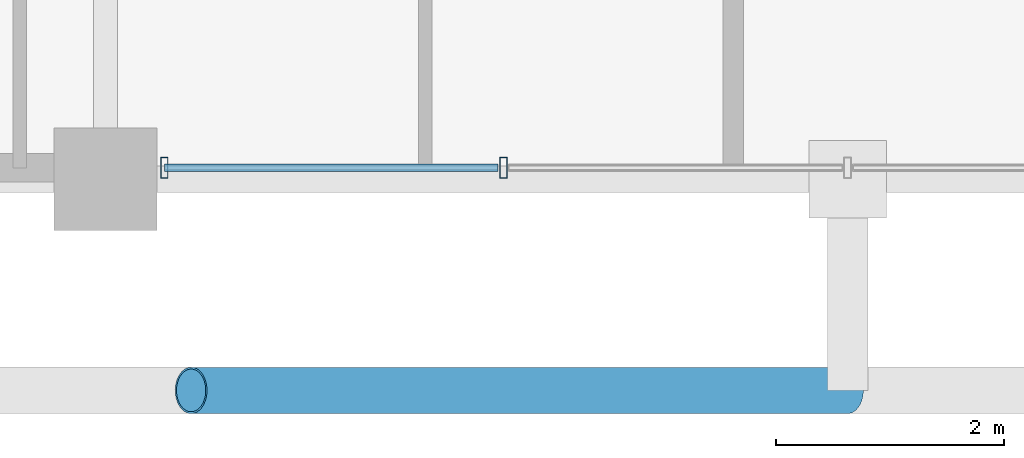
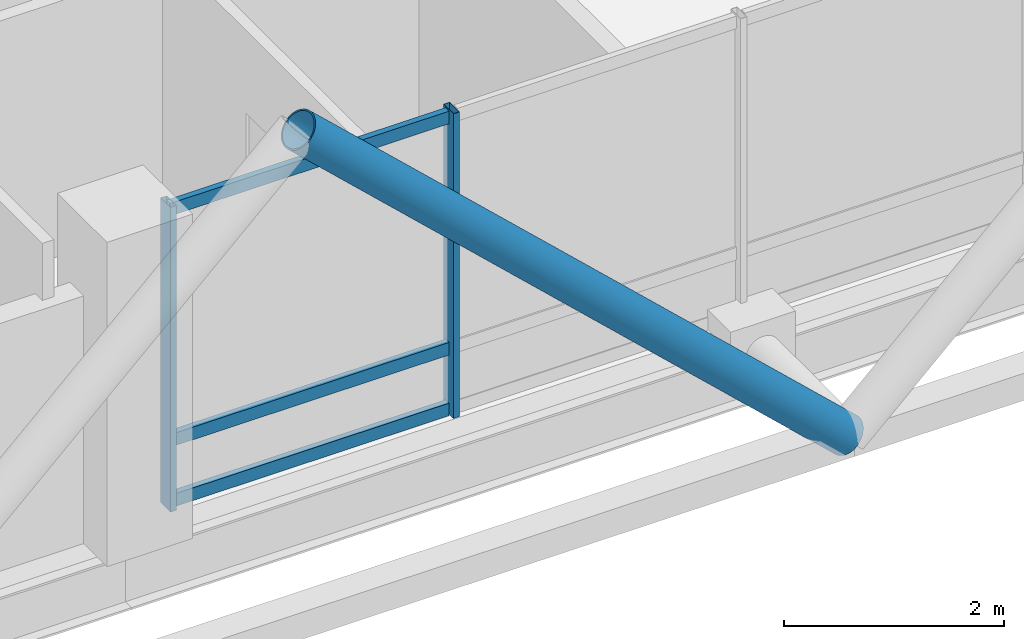
# One storey, part 2 of 21: 6 members, 1 element without a shape of its own.
"""IFC4 building model written with IfcOpenShell, lengths in metres."""

import ifcopenshell
import ifcopenshell.guid

model = None  # the IFC model being written
_history = None  # IfcOwnerHistory: only IFC2X3 demands one
_inside = {}  # id of a spatial element -> (the spatial element, [elements in it])
_under = {}  # id of a project, library or spatial element -> (it, [spatial elements below it])
_declared = {}  # id of a project -> (the project, [libraries it declares])
_typed = {}  # id of a type object -> (the type object, [elements of that type])
_made_of = {}  # id of a material, layer set ... -> (it, [elements and type objects made of it])


def new_model(schema):
    """Start an empty IFC model of exactly this schema.

    Asked for "IFC4X3", IfcOpenShell would pick the latest addendum, in which some entities
    have other attributes; the version numbers below select the first issue.
    IFC2X3 requires an IfcOwnerHistory on every rooted entity: one is made here for all.
    """
    global model, _history
    if schema == "IFC4X3":
        model = ifcopenshell.file(schema_version=(4, 3, 0, 0))
    else:
        model = ifcopenshell.file(schema=schema)
    _inside.clear()
    _under.clear()
    _declared.clear()
    _typed.clear()
    _made_of.clear()
    _history = None
    if model.schema == "IFC2X3":
        org = make("IfcOrganization", Name="unknown")
        user = make(
            "IfcPersonAndOrganization",
            ThePerson=make("IfcPerson", FamilyName="unknown"),
            TheOrganization=org,
        )
        app = make(
            "IfcApplication",
            ApplicationDeveloper=org,
            Version="unknown",
            ApplicationFullName="unknown",
            ApplicationIdentifier="unknown",
        )
        _history = make(
            "IfcOwnerHistory",
            OwningUser=user,
            OwningApplication=app,
            ChangeAction="ADDED",
            CreationDate=0,
        )
    return model


def make(cls, **values):
    """One entity of the class cls with the attributes given. An attribute that is None is left unset."""
    return model.create_entity(
        cls, **{name: value for name, value in values.items() if value is not None}
    )


def rooted(cls, **values):
    """An entity with a GlobalId (a new one), such as an element, a storey or a relation."""
    return make(cls, GlobalId=ifcopenshell.guid.new(), OwnerHistory=_history, **values)


def si_unit(unit_type, name, prefix=None):
    """IfcSIUnit, for example si_unit("LENGTHUNIT", "METRE", prefix="MILLI")."""
    return make("IfcSIUnit", UnitType=unit_type, Prefix=prefix, Name=name)


def assignment(units):
    """IfcUnitAssignment: the units of a project."""
    return None if units is None else make("IfcUnitAssignment", Units=units)


def point(xyz):
    """IfcCartesianPoint."""
    return None if xyz is None else make("IfcCartesianPoint", Coordinates=xyz)


def direction(xyz):
    """IfcDirection."""
    return None if xyz is None else make("IfcDirection", DirectionRatios=xyz)


def frame(location, z_axis=None, x_axis=None):
    """IfcAxis2Placement3D, a coordinate frame: its origin and axes. An axis left out is left unset."""
    return make(
        "IfcAxis2Placement3D",
        Location=point(location),
        Axis=direction(z_axis),
        RefDirection=direction(x_axis),
    )


def frame_2d(location, x_axis=None):
    """IfcAxis2Placement2D, a coordinate frame in the plane: its origin and x axis."""
    return make(
        "IfcAxis2Placement2D", Location=point(location), RefDirection=direction(x_axis)
    )


def origin():
    """The frame at (0, 0, 0) with its axes left unset."""
    return frame((0.0, 0.0, 0.0))


def origin_2d():
    """The frame at (0, 0) in the plane with its x axis left unset."""
    return frame_2d((0.0, 0.0))


def place(relative_to, where):
    """IfcLocalPlacement: puts the frame where relative to a parent placement (None: the world)."""
    return make(
        "IfcLocalPlacement", PlacementRelTo=relative_to, RelativePlacement=where
    )


def context(
    kind, dimensions, precision=None, world=None, true_north=None, identifier=None
):
    """IfcGeometricRepresentationContext, for example the 3D "Model" context."""
    return make(
        "IfcGeometricRepresentationContext",
        ContextIdentifier=identifier,
        ContextType=kind,
        CoordinateSpaceDimension=dimensions,
        Precision=precision,
        WorldCoordinateSystem=world,
        TrueNorth=true_north,
    )


def subcontext(parent, identifier, kind, view, scale=None):
    """IfcGeometricRepresentationSubContext, for example "Body" below "Model"."""
    return make(
        "IfcGeometricRepresentationSubContext",
        ContextIdentifier=identifier,
        ContextType=kind,
        ParentContext=parent,
        TargetScale=scale,
        TargetView=view,
    )


def project(units=None, contexts=None):
    """IfcProject with its units and contexts."""
    return rooted(
        "IfcProject",
        Name="project",
        RepresentationContexts=contexts,
        UnitsInContext=assignment(units),
    )


def spatial(cls, under=None, at=None, **own):
    """A site, building, storey or space (cls), placed at a placement, below another one or the project."""
    s = rooted(cls, ObjectPlacement=at, **own)
    if under is not None:
        _under.setdefault(under.id(), (under, []))[1].append(s)
    return s


def profile(cls, at=None, kind="AREA", **sizes):
    """A parametric profile (cls). Its sizes go by their IFC names, for example OverallWidth=200.0."""
    return make(cls, ProfileType=kind, Position=at, **sizes)


def hollow_rectangle(**sizes):
    """IfcRectangleHollowProfileDef."""
    return profile("IfcRectangleHollowProfileDef", **sizes)


def hollow_circle(**sizes):
    """IfcCircleHollowProfileDef."""
    return profile("IfcCircleHollowProfileDef", **sizes)


def extrude(swept, where, along, depth):
    """IfcExtrudedAreaSolid: the profile swept, set in the frame where, extruded along a direction by depth."""
    return make(
        "IfcExtrudedAreaSolid",
        SweptArea=swept,
        Position=where,
        ExtrudedDirection=direction(along),
        Depth=depth,
    )


def shape(context_of_items, identifier, shape_type, items):
    """IfcShapeRepresentation: the items that make up one representation, for example the "Body"."""
    return make(
        "IfcShapeRepresentation",
        ContextOfItems=context_of_items,
        RepresentationIdentifier=identifier,
        RepresentationType=shape_type,
        Items=items,
    )


def material(Name=None, Category=None):
    """IfcMaterial."""
    return make("IfcMaterial", Name=Name, Category=Category)


def layer(
    of_material, thickness, ventilated=None, Name=None, Category=None, Priority=None
):
    """IfcMaterialLayer: one layer of a wall or slab, of a material (None: an air gap)."""
    return make(
        "IfcMaterialLayer",
        Material=of_material,
        LayerThickness=thickness,
        IsVentilated=ventilated,
        Name=Name,
        Category=Category,
        Priority=Priority,
    )


def layer_set(layers, Name=None):
    """IfcMaterialLayerSet."""
    return make("IfcMaterialLayerSet", MaterialLayers=layers, LayerSetName=Name)


def material_profile(
    of_material, cross_section, Name=None, Category=None, Priority=None
):
    """IfcMaterialProfile: a cross section and its material."""
    return make(
        "IfcMaterialProfile",
        Name=Name,
        Material=of_material,
        Profile=cross_section,
        Priority=Priority,
        Category=Category,
    )


def profile_set(profiles, Name=None, composite=None):
    """IfcMaterialProfileSet."""
    return make(
        "IfcMaterialProfileSet",
        Name=Name,
        MaterialProfiles=profiles,
        CompositeProfile=composite,
    )


def made_of(thing, what):
    """Note that an element or type object is made of a material, layer set ...; save() writes the relation."""
    if what is not None:
        _made_of.setdefault(what.id(), (what, []))[1].append(thing)
    return thing


def type_object(cls, material=None, **own):
    """A type object (cls), such as IfcWallType, which elements share."""
    return made_of(rooted(cls, **own), material)


def element(
    cls,
    number,
    at=None,
    inside=None,
    cuts=None,
    type_object=None,
    material=None,
    context=None,
    identifier="Body",
    shape_type=None,
    held_by="IfcProductDefinitionShape",
    body=None,
    shapes=None,
    **own,
):
    """One element of the class cls, such as IfcWall. Its Tag is "e" and its number.

    at: its placement. inside: the storey or other place that contains it. cuts: it is an
    opening in that element (IfcRelVoidsElement). A single representation is given by context,
    identifier, shape_type and body (its items); several are given by shapes. held_by: the class
    of the entity that holds the representations. save() writes the other relations.
    """
    e = rooted(cls, Tag="e%d" % number, ObjectPlacement=at, **own)
    if body is not None:
        shapes = [shape(context, identifier, shape_type, body)]
    if shapes is not None:
        e.Representation = make(held_by, Representations=shapes)
    if inside is not None:
        _inside.setdefault(inside.id(), (inside, []))[1].append(e)
    if cuts is not None:
        rooted(
            "IfcRelVoidsElement", RelatingBuildingElement=cuts, RelatedOpeningElement=e
        )
    if type_object is not None:
        _typed.setdefault(type_object.id(), (type_object, []))[1].append(e)
    return made_of(e, material)


def aggregate(whole, parts):
    """IfcRelAggregates: a whole, such as a stair, and the parts it consists of."""
    return rooted("IfcRelAggregates", RelatingObject=whole, RelatedObjects=parts)


def save(model, path):
    """Write the relations noted so far, then the file.

    IfcRelAggregates (storeys below a building ...), IfcRelContainedInSpatialStructure (elements
    in a storey), IfcRelDefinesByType, IfcRelAssociatesMaterial and IfcRelDeclares: one each for
    every whole, place, type object, material and project.
    """
    for whole, parts in _under.values():
        aggregate(whole, parts)
    for where, things in _inside.values():
        rooted(
            "IfcRelContainedInSpatialStructure",
            RelatedElements=things,
            RelatingStructure=where,
        )
    for kind, things in _typed.values():
        rooted("IfcRelDefinesByType", RelatedObjects=things, RelatingType=kind)
    for what, things in _made_of.values():
        rooted("IfcRelAssociatesMaterial", RelatedObjects=things, RelatingMaterial=what)
    for by, libraries in _declared.values():
        rooted("IfcRelDeclares", RelatingContext=by, RelatedDefinitions=libraries)
    model.write(path)


model = new_model("IFC4")

# Units and contexts
model_context = context("Model", 3, precision=1e-05, world=origin(), true_north=direction((0.0, 1.0)))
body_context = subcontext(model_context, "Body", "Model", "MODEL_VIEW")
ifc_project = project(units=[si_unit("LENGTHUNIT", "METRE"), si_unit("AREAUNIT", "SQUARE_METRE"), si_unit("VOLUMEUNIT", "CUBIC_METRE"), si_unit("PLANEANGLEUNIT", "RADIAN"), si_unit("MASSUNIT", "GRAM", prefix="KILO")], contexts=[model_context])

# Site, building, storey
site_placement = place(None, origin())
site = spatial("IfcSite", under=ifc_project, at=site_placement, CompositionType="ELEMENT")
building_placement = place(site_placement, origin())
building = spatial("IfcBuilding", under=site, at=building_placement, Name="Barlavira Tower and Art Museum", CompositionType="ELEMENT")
storey_placement = place(building_placement, frame((0.0, 0.0, 261.89990234375)))
storey = spatial("IfcBuildingStorey", under=building, at=storey_placement, Name="L68", CompositionType="ELEMENT", Elevation=261.89990234375)

# Curtain wall, members
ifc_material_1 = material(Name="Low-iron coastal laminated glass", Category="glass")
ifc_layer = layer(ifc_material_1, 0.2099609375, Name="Low-iron coastal laminated glass")
ifc_layer_set = layer_set([ifc_layer], Name="Low-iron coastal laminated glass")
curtain_wall_type = type_object("IfcCurtainWallType", Name="Pale-Metal Unitised Curtain Wall Zone 4", PredefinedType="NOTDEFINED", material=ifc_layer_set)
curtain_wall_placement = place(storey_placement, origin())
curtain_wall = element("IfcCurtainWall", 1, at=curtain_wall_placement, inside=storey, type_object=curtain_wall_type, Name="L68 Curtain Wall CW4-L68-S-B2", PredefinedType="NOTDEFINED")
ifc_material_2 = material(Name="Pale anodised aluminium", Category="aluminium")
ifc_material_profile_1 = material_profile(ifc_material_2, hollow_rectangle(XDim=0.06494140625, YDim=0.179931640625, WallThickness=0.00390625, at=origin_2d()), Name="ALU-MULL 65x180x4")
ifc_profile_set_1 = profile_set([ifc_material_profile_1], Name="Pale anodised aluminium")
member_type_1 = type_object("IfcMemberType", Name="Curtain Wall Pale-Metal Mullion 65x180", PredefinedType="MULLION", material=ifc_profile_set_1)
member_1_placement = place(storey_placement, frame((-5.985107421875, -19.89990234375, 0.0), z_axis=(0.0, 0.0, 1.0), x_axis=(1.0, 0.0, 0.0)))
member_1 = element("IfcMember", 2, at=member_1_placement, type_object=member_type_1, Name="CW4-L68-S-B2 Mullion 0", PredefinedType="MULLION", context=body_context, shape_type="SweptSolid", body=[
    extrude(hollow_rectangle(XDim=0.06494140625, YDim=0.179931640625, WallThickness=0.00390625, at=origin_2d()), origin(), (0.0, 0.0, 1.0), 3.380126953125),
])
member_2_placement = place(storey_placement, frame((-3.014892578125, -19.89990234375, 0.0), z_axis=(0.0, 0.0, 1.0), x_axis=(1.0, 0.0, 0.0)))
member_2 = element("IfcMember", 3, at=member_2_placement, type_object=member_type_1, Name="CW4-L68-S-B2 Mullion 1", PredefinedType="MULLION", context=body_context, shape_type="SweptSolid", body=[
    extrude(hollow_rectangle(XDim=0.06494140625, YDim=0.179931640625, WallThickness=0.00390625, at=origin_2d()), origin(), (0.0, 0.0, 1.0), 3.380126953125),
])
ifc_material_profile_2 = material_profile(ifc_material_2, hollow_rectangle(XDim=0.06494140625, YDim=0.139892578125, WallThickness=0.00390625, at=origin_2d()), Name="ALU-TRAN 65x140x4")
ifc_profile_set_2 = profile_set([ifc_material_profile_2], Name="Pale anodised aluminium")
member_type_2 = type_object("IfcMemberType", Name="Curtain Wall Pale-Metal Transom 65x140", PredefinedType="USERDEFINED", material=ifc_profile_set_2)
member_3_placement = place(storey_placement, frame((-5.985107421875, -19.89990234375, 0.070068359375), z_axis=(1.0, 0.0, 0.0), x_axis=(0.0, 1.0, 0.0)))
member_3 = element("IfcMember", 4, at=member_3_placement, type_object=member_type_2, Name="CW4-L68-S-B2 Transom 0.1", ObjectType="TRANSOM", PredefinedType="USERDEFINED", context=body_context, shape_type="SweptSolid", body=[
    extrude(hollow_rectangle(XDim=0.06494140625, YDim=0.139892578125, WallThickness=0.00390625, at=origin_2d()), origin(), (0.0, 0.0, 1.0), 2.925048828125),
])
member_4_placement = place(storey_placement, frame((-5.985107421875, -19.89990234375, 0.744140625), z_axis=(1.0, 0.0, 0.0), x_axis=(0.0, 1.0, 0.0)))
member_4 = element("IfcMember", 5, at=member_4_placement, type_object=member_type_2, Name="CW4-L68-S-B2 Transom 0.2", ObjectType="TRANSOM", PredefinedType="USERDEFINED", context=body_context, shape_type="SweptSolid", body=[
    extrude(hollow_rectangle(XDim=0.06494140625, YDim=0.139892578125, WallThickness=0.00390625, at=origin_2d()), origin(), (0.0, 0.0, 1.0), 2.925048828125),
])
member_5_placement = place(storey_placement, frame((-5.985107421875, -19.89990234375, 3.31005859375), z_axis=(1.0, 0.0, 0.0), x_axis=(0.0, 1.0, 0.0)))
member_5 = element("IfcMember", 6, at=member_5_placement, type_object=member_type_2, Name="CW4-L68-S-B2 Transom 0.3", ObjectType="TRANSOM", PredefinedType="USERDEFINED", context=body_context, shape_type="SweptSolid", body=[
    extrude(hollow_rectangle(XDim=0.06494140625, YDim=0.139892578125, WallThickness=0.00390625, at=origin_2d()), origin(), (0.0, 0.0, 1.0), 2.925048828125),
])
aggregate(curtain_wall, [member_1, member_2, member_3, member_4, member_5])

# Member
ifc_material_3 = material(Name="Steel S355", Category="steel")
ifc_material_profile_3 = material_profile(ifc_material_3, hollow_circle(Radius=0.203125, WallThickness=0.01611328125, at=origin_2d()), Name="CHS 406.4x16.0")
ifc_profile_set_3 = profile_set([ifc_material_profile_3], Name="Steel S355")
member_type_3 = type_object("IfcMemberType", Name="Pale-Metal Exoskeleton Diagrid Tube CHS 406x16 Steel S355", PredefinedType="BRACE", material=ifc_profile_set_3)
member_6_placement = place(storey_placement, frame((0.0, -21.85009765625, -0.119873046875), z_axis=(-0.728950095515, 0.0, 0.684566839869), x_axis=(0.0, -1.0, 0.0)))
element("IfcMember", 7, at=member_6_placement, inside=storey, type_object=member_type_3, Name="L68 Exoskeleton Diagrid Tube S", PredefinedType="BRACE", context=body_context, shape_type="SweptSolid", body=[
    extrude(hollow_circle(Radius=0.203125, WallThickness=0.01611328125, at=origin_2d()), origin(), (0.0, 0.0, 1.0), 7.887939453125),
])

save(model, "model.ifc")
